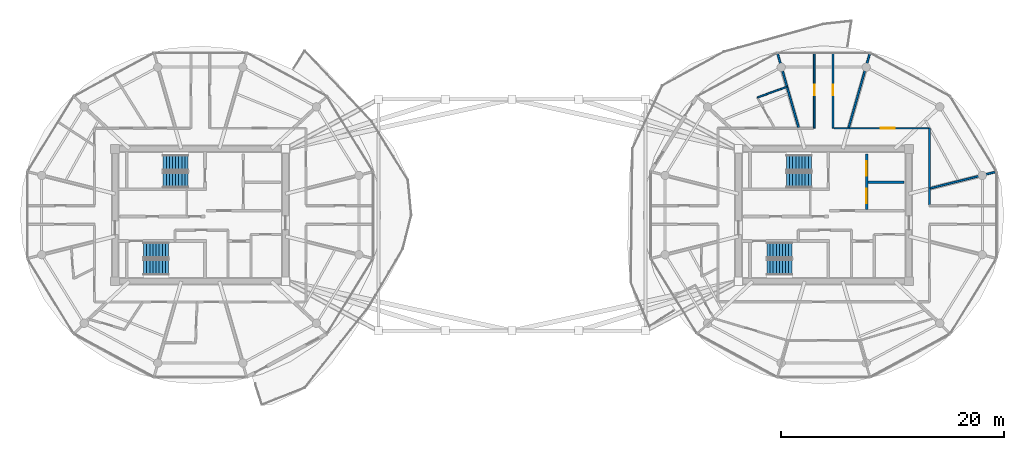
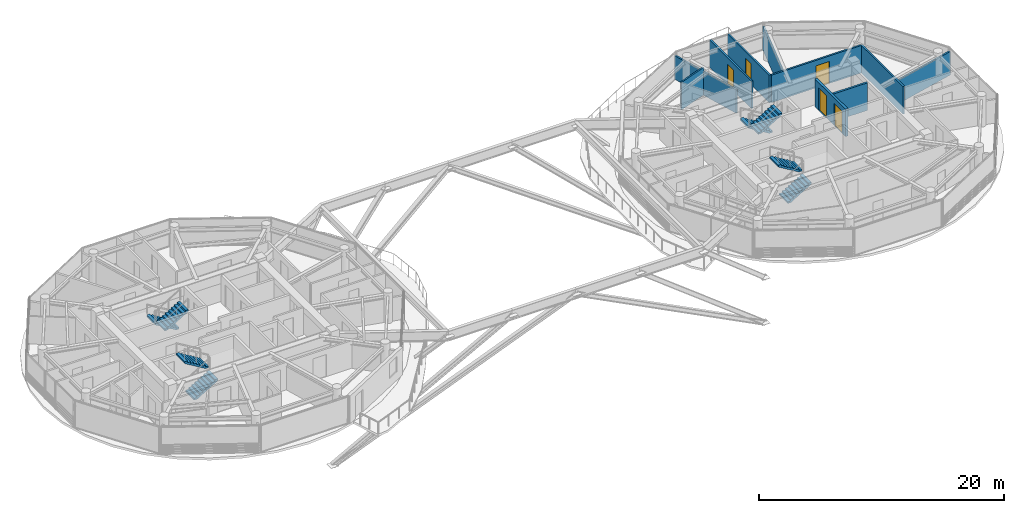
# One storey, part 18 of 23: 10 walls, 8 stair flights, 5 doors, 5 openings, 4 elements without a shape of their own.
"""IFC4 building model written with IfcOpenShell, lengths in metres."""

from ifc_helpers import new_model, si_unit, direction, frame, frame_2d, origin, place, context, subcontext, project, spatial, polyline, rectangle, outline, extrude, source, transform, mapped, material, layer, layer_set, type_object, type_shapes, element, fill, aggregate, save


model = new_model("IFC4")

# Units and contexts
model_context = context("Model", 3, precision=1e-05, world=origin(), true_north=direction((0.0, 1.0)))
body_context = subcontext(model_context, "Body", "Model", "MODEL_VIEW")
ifc_project = project(units=[si_unit("LENGTHUNIT", "METRE"), si_unit("AREAUNIT", "SQUARE_METRE"), si_unit("VOLUMEUNIT", "CUBIC_METRE"), si_unit("PLANEANGLEUNIT", "RADIAN"), si_unit("MASSUNIT", "GRAM", prefix="KILO")], contexts=[model_context])

# Site, building, storey
site_placement = place(None, origin())
site = spatial("IfcSite", under=ifc_project, at=site_placement, CompositionType="ELEMENT")
building_placement = place(site_placement, origin())
building = spatial("IfcBuilding", under=site, at=building_placement, Name="Norrkilde Senior Care Towers", CompositionType="ELEMENT")
storey_placement = place(building_placement, frame((0.0, 0.0, 196.75)))
storey = spatial("IfcBuildingStorey", under=building, at=storey_placement, Name="L61", CompositionType="ELEMENT", Elevation=196.75)

# Wall, openings, doors
ifc_material_1 = material(Name="Concrete C45/55", Category="concrete")
ifc_layer_1 = layer(ifc_material_1, 0.239990234375)
ifc_layer_set_1 = layer_set([ifc_layer_1], Name="Concrete C45/55")
wall_type_1 = type_object("IfcWallType", Name="Lift and Plant Rated Enclosure Partition 240", PredefinedType="PARTITIONING", material=ifc_layer_set_1)
shared_shape_1 = source(origin(), body_context, "Body", "SweptSolid", [
    extrude(rectangle(XDim=5.0, YDim=0.239990234375, at=frame_2d((2.5, 0.0))), origin(), (0.0, 0.0, 1.0), 2.7451171875),
])
type_shapes(wall_type_1, [shared_shape_1])
wall_1_placement = place(storey_placement, frame((31.860107421875, 0.5, 0.0), z_axis=(0.0, 0.0, 1.0), x_axis=(0.0, 1.0, 0.0)))
wall_1 = element("IfcWall", 1, at=wall_1_placement, inside=storey, type_object=wall_type_1, Name="WL-INT-L61-E-FFLE", PredefinedType="PARTITIONING", context=body_context, shape_type="MappedRepresentation", body=[
    mapped(shared_shape_1, transform((0.0, 0.0, 0.0), x_axis=(1.0, 0.0, 0.0), y_axis=(0.0, 1.0, 0.0), z_axis=(0.0, 0.0, 1.0), scale=1.0)),
])
opening_1_placement = place(wall_1_placement, frame((3.050048828125, 0.0, 0.0)))
opening_1 = element("IfcOpeningElement", 2, at=opening_1_placement, cuts=wall_1, Name="Opening LD-02", PredefinedType="OPENING", context=body_context, shape_type="SweptSolid", body=[
    extrude(rectangle(XDim=1.300048828125, YDim=2.199951171875, at=frame_2d((0.64990234375, 1.10009765625))), frame((0.0, 0.1298828125, 0.0), z_axis=(0.0, -1.0, 0.0), x_axis=(1.0, 0.0, 0.0)), (0.0, 0.0, 1.0), 0.260009765625),
])
opening_2_placement = place(wall_1_placement, frame((0.550048828125, 0.0, 0.0)))
opening_2 = element("IfcOpeningElement", 3, at=opening_2_placement, cuts=wall_1, Name="Opening LD-02", PredefinedType="OPENING", context=body_context, shape_type="SweptSolid", body=[
    extrude(rectangle(XDim=1.300048828125, YDim=2.199951171875, at=frame_2d((0.64990234375, 1.10009765625))), frame((0.0, 0.1298828125, 0.0), z_axis=(0.0, -1.0, 0.0), x_axis=(1.0, 0.0, 0.0)), (0.0, 0.0, 1.0), 0.260009765625),
])
ifc_material_2 = material(Name="Stainless Steel", Category="steel")
door_type_1 = type_object("IfcDoorType", Name="Stretcher and FFL Landing Sliding Door 1300x2200", OperationType="NOTDEFINED", PredefinedType="DOOR", material=ifc_material_2)
shared_shape_2 = source(origin(), body_context, "Body", "SweptSolid", [
    extrude(rectangle(XDim=1.300048828125, YDim=2.199951171875, at=frame_2d((0.64990234375, 1.10009765625))), frame((0.0, 0.02490234375, 0.0), z_axis=(0.0, -1.0, 0.0), x_axis=(1.0, 0.0, 0.0)), (0.0, 0.0, 1.0), 0.050048828125),
])
type_shapes(door_type_1, [shared_shape_2])
door_1_placement = place(opening_1_placement, origin())
door_1 = element("IfcDoor", 4, at=door_1_placement, inside=storey, type_object=door_type_1, Name="L61 Firefighting Lift E1 Landing Door", OperationType="SLIDING_TO_LEFT", OverallHeight=2.199951171875, OverallWidth=1.300048828125, PredefinedType="DOOR", context=body_context, shape_type="MappedRepresentation", body=[
    mapped(shared_shape_2, transform((0.0, 0.0, 0.0), x_axis=(1.0, 0.0, 0.0), y_axis=(0.0, 1.0, 0.0), z_axis=(0.0, 0.0, 1.0), scale=1.0)),
])
fill(opening_1, door_1)
door_2_placement = place(opening_2_placement, origin())
door_2 = element("IfcDoor", 5, at=door_2_placement, inside=storey, type_object=door_type_1, Name="L61 Stretcher Lift E1 Landing Door", OperationType="SLIDING_TO_RIGHT", OverallHeight=2.199951171875, OverallWidth=1.300048828125, PredefinedType="DOOR", context=body_context, shape_type="MappedRepresentation", body=[
    mapped(shared_shape_2, transform((0.0, 0.0, 0.0), x_axis=(1.0, 0.0, 0.0), y_axis=(0.0, 1.0, 0.0), z_axis=(0.0, 0.0, 1.0), scale=1.0)),
])
fill(opening_2, door_2)

# Wall
ifc_layer_2 = layer(ifc_material_1, 0.199951171875)
ifc_layer_set_2 = layer_set([ifc_layer_2], Name="Concrete C45/55")
wall_type_2 = type_object("IfcWallType", Name="Shaft Division and Plant Partition 200", PredefinedType="PARTITIONING", material=ifc_layer_set_2)
shared_shape_3 = source(origin(), body_context, "Body", "SweptSolid", [
    extrude(rectangle(XDim=3.199951171875, YDim=0.199951171875, at=frame_2d((1.60009765625, 0.0))), origin(), (0.0, 0.0, 1.0), 2.7451171875),
])
type_shapes(wall_type_2, [shared_shape_3])
wall_2_placement = place(storey_placement, frame((32.0, 2.949951171875, 0.0), z_axis=(0.0, 0.0, 1.0), x_axis=(1.0, 0.0, 0.0)))
element("IfcWall", 6, at=wall_2_placement, inside=storey, type_object=wall_type_2, Name="WL-INT-L61-E-FFLDIV", PredefinedType="PARTITIONING", context=body_context, shape_type="MappedRepresentation", body=[
    mapped(shared_shape_3, transform((0.0, 0.0, 0.0), x_axis=(1.0, 0.0, 0.0), y_axis=(0.0, 1.0, 0.0), z_axis=(0.0, 0.0, 1.0), scale=1.0)),
])

# Wall, opening, door
ifc_material_3 = material(Name="Gypsum Acoustic Board")
ifc_layer_3 = layer(ifc_material_3, 0.1650390625)
ifc_layer_set_3 = layer_set([ifc_layer_3], Name="Gypsum Acoustic Board")
wall_type_3 = type_object("IfcWallType", Name="Corridor Rated Partition 165", PredefinedType="PARTITIONING", material=ifc_layer_set_3)
shared_shape_4 = source(origin(), body_context, "Body", "SweptSolid", [
    extrude(rectangle(XDim=8.580078125, YDim=0.1650390625, at=frame_2d((4.2900390625, 0.0))), origin(), (0.0, 0.0, 1.0), 2.7451171875),
])
wall_3_placement = place(storey_placement, frame((28.919921875, 7.800048828125, 0.0), z_axis=(0.0, 0.0, 1.0), x_axis=(1.0, 0.0, 0.0)))
wall_3 = element("IfcWall", 7, at=wall_3_placement, inside=storey, type_object=wall_type_3, Name="WL-INT-L61-E-CRW-N-1", PredefinedType="PARTITIONING", context=body_context, shape_type="MappedRepresentation", body=[
    mapped(shared_shape_4, transform((0.0, 0.0, 0.0), x_axis=(1.0, 0.0, 0.0), y_axis=(0.0, 1.0, 0.0), z_axis=(0.0, 0.0, 1.0), scale=1.0)),
])
opening_3_placement = place(wall_3_placement, frame((4.2197265625, 0.0, 0.0)))
opening_3 = element("IfcOpeningElement", 8, at=opening_3_placement, cuts=wall_3, Name="Opening D-05", PredefinedType="OPENING", context=body_context, shape_type="SweptSolid", body=[
    extrude(rectangle(XDim=1.25, YDim=2.199951171875, at=frame_2d((0.625, 1.10009765625))), frame((0.0, 0.092529296875, 0.0), z_axis=(0.0, -1.0, 0.0), x_axis=(1.0, 0.0, 0.0)), (0.0, 0.0, 1.0), 0.18505859375),
])
ifc_material_4 = material(Name="Nordic Ash Timber", Category="wood")
door_type_2 = type_object("IfcDoorType", Name="Care Bedroom Bariatric Door 1250x2200", OperationType="NOTDEFINED", PredefinedType="DOOR", material=ifc_material_4)
shared_shape_5 = source(origin(), body_context, "Body", "SweptSolid", [
    extrude(rectangle(XDim=1.25, YDim=2.199951171875, at=frame_2d((0.625, 1.10009765625))), frame((0.0, 0.02490234375, 0.0), z_axis=(0.0, -1.0, 0.0), x_axis=(1.0, 0.0, 0.0)), (0.0, 0.0, 1.0), 0.050048828125),
])
type_shapes(door_type_2, [shared_shape_5])
door_3_placement = place(opening_3_placement, frame((1.25, 0.0, 0.0), z_axis=(0.0, 0.0, 1.0), x_axis=(-1.0, 0.0, 0.0)))
door_3 = element("IfcDoor", 9, at=door_3_placement, inside=storey, type_object=door_type_2, Name="L61 Senior Wellness Library Lounge Door", OperationType="SINGLE_SWING_LEFT", OverallHeight=2.199951171875, OverallWidth=1.25, PredefinedType="DOOR", context=body_context, shape_type="MappedRepresentation", body=[
    mapped(shared_shape_5, transform((0.0, 0.0, 0.0), x_axis=(1.0, 0.0, 0.0), y_axis=(0.0, 1.0, 0.0), z_axis=(0.0, 0.0, 1.0), scale=1.0)),
])
fill(opening_3, door_3)

# Walls
shared_shape_6 = source(origin(), body_context, "Body", "SweptSolid", [
    extrude(rectangle(XDim=6.880126953125, YDim=0.1650390625, at=frame_2d((3.43994140625, 0.0))), origin(), (0.0, 0.0, 1.0), 2.7451171875),
])
wall_4_placement = place(storey_placement, frame((37.5, 7.800048828125, 0.0), z_axis=(0.0, 0.0, 1.0), x_axis=(0.0, -1.0, 0.0)))
element("IfcWall", 10, at=wall_4_placement, inside=storey, type_object=wall_type_3, Name="WL-INT-L61-E-CRW-E-0", PredefinedType="PARTITIONING", context=body_context, shape_type="MappedRepresentation", body=[
    mapped(shared_shape_6, transform((0.0, 0.0, 0.0), x_axis=(1.0, 0.0, 0.0), y_axis=(0.0, 1.0, 0.0), z_axis=(0.0, 0.0, 1.0), scale=1.0)),
])
shared_shape_7 = source(origin(), body_context, "Body", "SweptSolid", [
    extrude(rectangle(XDim=6.973876953125, YDim=0.1650390625, at=frame_2d((3.48681640625, 0.0))), origin(), (0.0, 0.0, 1.0), 2.344970703125),
])
for number, where, z_axis, x_axis, name in (
    (11, (30.251220703125, 7.8798828125, 0.0), (0.0, 0.0, 1.0), (0.274707256801, 0.961527910703, 0.0), "WL-INT-L61-E-DEM-02-0"),
    (12, (25.748779296875, 7.8798828125, 0.0), (0.0, 0.0, 1.0), (-0.274707256801, 0.961527910703, 0.0), "WL-INT-L61-E-DEM-03-0"),
):
    element("IfcWall", number, at=place(storey_placement, frame(where, z_axis=z_axis, x_axis=x_axis)), inside=storey, type_object=wall_type_3, Name=name, PredefinedType="PARTITIONING", context=body_context, shape_type="MappedRepresentation", body=[
        mapped(shared_shape_7, transform((0.0, 0.0, 0.0), x_axis=(1.0, 0.0, 0.0), y_axis=(0.0, 1.0, 0.0), z_axis=(0.0, 0.0, 1.0), scale=1.0)),
    ])
shared_shape_8 = source(origin(), body_context, "Body", "SweptSolid", [
    extrude(rectangle(XDim=6.1572265625, YDim=0.1650390625, at=frame_2d((3.07861328125, 0.0))), origin(), (0.0, 0.0, 1.0), 2.344970703125),
])
wall_5_placement = place(storey_placement, frame((37.580078125, 2.407470703125, 0.0), z_axis=(0.0, 0.0, 1.0), x_axis=(0.969840867184, 0.243738984038, 0.0)))
element("IfcWall", 13, at=wall_5_placement, inside=storey, type_object=wall_type_3, Name="WL-INT-L61-E-DEM-00-0", PredefinedType="PARTITIONING", context=body_context, shape_type="MappedRepresentation", body=[
    mapped(shared_shape_8, transform((0.0, 0.0, 0.0), x_axis=(1.0, 0.0, 0.0), y_axis=(0.0, 1.0, 0.0), z_axis=(0.0, 0.0, 1.0), scale=1.0)),
])

# Wall, opening, door
shared_shape_9 = source(origin(), body_context, "Body", "SweptSolid", [
    extrude(rectangle(XDim=6.83544921875, YDim=0.1650390625, at=frame_2d((3.417724609375, 0.0))), origin(), (0.0, 0.0, 1.0), 2.7451171875),
])
type_shapes(wall_type_3, [shared_shape_4, shared_shape_6, shared_shape_7, shared_shape_8, shared_shape_9])
wall_6_placement = place(storey_placement, frame((27.159912109375, 7.800048828125, 0.0), z_axis=(0.0, 0.0, 1.0), x_axis=(0.0, 1.0, 0.0)))
wall_6 = element("IfcWall", 14, at=wall_6_placement, inside=storey, type_object=wall_type_3, Name="WL-INT-L61-E-SPK-N1-0", PredefinedType="PARTITIONING", context=body_context, shape_type="MappedRepresentation", body=[
    mapped(shared_shape_9, transform((0.0, 0.0, 0.0), x_axis=(1.0, 0.0, 0.0), y_axis=(0.0, 1.0, 0.0), z_axis=(0.0, 0.0, 1.0), scale=1.0)),
])
opening_4_placement = place(wall_6_placement, frame((2.942626953125, 0.0, 0.0)))
opening_4 = element("IfcOpeningElement", 15, at=opening_4_placement, cuts=wall_6, Name="Opening D-07", PredefinedType="OPENING", context=body_context, shape_type="SweptSolid", body=[
    extrude(rectangle(XDim=0.949951171875, YDim=2.10009765625, at=frame_2d((0.47509765625, 1.050048828125))), frame((0.0, 0.092529296875, 0.0), z_axis=(0.0, -1.0, 0.0), x_axis=(1.0, 0.0, 0.0)), (0.0, 0.0, 1.0), 0.18505859375),
])
door_type_3 = type_object("IfcDoorType", Name="Internal Suite Bedroom Door 950x2100", OperationType="NOTDEFINED", PredefinedType="DOOR", material=ifc_material_4)
shared_shape_10 = source(origin(), body_context, "Body", "SweptSolid", [
    extrude(rectangle(XDim=0.949951171875, YDim=2.10009765625, at=frame_2d((0.47509765625, 1.050048828125))), frame((0.0, 0.02490234375, 0.0), z_axis=(0.0, -1.0, 0.0), x_axis=(1.0, 0.0, 0.0)), (0.0, 0.0, 1.0), 0.050048828125),
])
type_shapes(door_type_3, [shared_shape_10])
door_4_placement = place(opening_4_placement, frame((0.949951171875, 0.0, 0.0), z_axis=(0.0, 0.0, 1.0), x_axis=(-1.0, 0.0, 0.0)))
door_4 = element("IfcDoor", 16, at=door_4_placement, inside=storey, type_object=door_type_3, Name="L61 Sun Reading Lounge 3 Door", OperationType="SINGLE_SWING_RIGHT", OverallHeight=2.10009765625, OverallWidth=0.949951171875, PredefinedType="DOOR", context=body_context, shape_type="MappedRepresentation", body=[
    mapped(shared_shape_10, transform((0.0, 0.0, 0.0), x_axis=(1.0, 0.0, 0.0), y_axis=(0.0, 1.0, 0.0), z_axis=(0.0, 0.0, 1.0), scale=1.0)),
])
fill(opening_4, door_4)

wall_7_placement = place(storey_placement, frame((28.840087890625, 14.635498046875, 0.0), z_axis=(0.0, 0.0, 1.0), x_axis=(0.0, -1.0, 0.0)))
wall_7 = element("IfcWall", 17, at=wall_7_placement, inside=storey, type_object=wall_type_3, Name="WL-INT-L61-E-SPK-N2-0", PredefinedType="PARTITIONING", context=body_context, shape_type="MappedRepresentation", body=[
    mapped(shared_shape_9, transform((0.0, 0.0, 0.0), x_axis=(1.0, 0.0, 0.0), y_axis=(0.0, 1.0, 0.0), z_axis=(0.0, 0.0, 1.0), scale=1.0)),
])
opening_5_placement = place(wall_7_placement, frame((2.942626953125, 0.0, 0.0)))
opening_5 = element("IfcOpeningElement", 18, at=opening_5_placement, cuts=wall_7, Name="Opening D-07", PredefinedType="OPENING", context=body_context, shape_type="SweptSolid", body=[
    extrude(rectangle(XDim=0.949951171875, YDim=2.10009765625, at=frame_2d((0.47509765625, 1.050048828125))), frame((0.0, 0.092529296875, 0.0), z_axis=(0.0, -1.0, 0.0), x_axis=(1.0, 0.0, 0.0)), (0.0, 0.0, 1.0), 0.18505859375),
])
door_5_placement = place(opening_5_placement, frame((0.949951171875, 0.0, 0.0), z_axis=(0.0, 0.0, 1.0), x_axis=(-1.0, 0.0, 0.0)))
door_5 = element("IfcDoor", 19, at=door_5_placement, inside=storey, type_object=door_type_3, Name="L61 Sun Reading Lounge 4 Door", OperationType="SINGLE_SWING_LEFT", OverallHeight=2.10009765625, OverallWidth=0.949951171875, PredefinedType="DOOR", context=body_context, shape_type="MappedRepresentation", body=[
    mapped(shared_shape_10, transform((0.0, 0.0, 0.0), x_axis=(1.0, 0.0, 0.0), y_axis=(0.0, 1.0, 0.0), z_axis=(0.0, 0.0, 1.0), scale=1.0)),
])
fill(opening_5, door_5)

# Wall
ifc_layer_4 = layer(ifc_material_3, 0.139892578125)
ifc_layer_set_4 = layer_set([ifc_layer_4], Name="Gypsum Acoustic Board")
wall_type_4 = type_object("IfcWallType", Name="En-suite Wet Room Wall 140", PredefinedType="PARTITIONING", material=ifc_layer_set_4)
shared_shape_11 = source(origin(), body_context, "Body", "SweptSolid", [
    extrude(rectangle(XDim=2.8310546875, YDim=0.139892578125, at=frame_2d((1.41552734375, 0.0))), origin(), (0.0, 0.0, 1.0), 2.7451171875),
])
type_shapes(wall_type_4, [shared_shape_11])
wall_8_placement = place(storey_placement, frame((22.042724609375, 10.5654296875, 0.0), z_axis=(0.0, 0.0, 1.0), x_axis=(0.941411742535, 0.337259441701, 0.0)))
element("IfcWall", 20, at=wall_8_placement, inside=storey, type_object=wall_type_4, Name="WL-INT-L61-E-EF-03", PredefinedType="PARTITIONING", context=body_context, shape_type="MappedRepresentation", body=[
    mapped(shared_shape_11, transform((0.0, 0.0, 0.0), x_axis=(1.0, 0.0, 0.0), y_axis=(0.0, 1.0, 0.0), z_axis=(0.0, 0.0, 1.0), scale=1.0)),
])

# Stair, stair flights
stair_type = type_object("IfcStairType", Name="Core Protected Dogleg Stair Typical 3050", PredefinedType="HALF_TURN_STAIR", material=ifc_material_1)
stair_1_placement = place(storey_placement, origin())
stair_1 = element("IfcStair", 21, at=stair_1_placement, inside=storey, type_object=stair_type, Name="L61 Protected Core Stair W1", PredefinedType="HALF_TURN_STAIR")
stair_flight_type = type_object("IfcStairFlightType", Name="Core Protected Dogleg Stair Typical 3050 Flight", PredefinedType="STRAIGHT", material=ifc_material_1)
stair_flight_1_placement = place(storey_placement, frame((-29.10009765625, 4.699951171875, 0.0), z_axis=(0.0, 0.0, 1.0), x_axis=(-1.0, 0.0, 0.0)))
stair_flight_1 = element("IfcStairFlight", 22, at=stair_flight_1_placement, type_object=stair_flight_type, Name="ST-W1 flight 1", NumberOfRisers=9, NumberOfTreads=8, PredefinedType="STRAIGHT", RiserHeight=0.169444444, TreadLength=0.28, context=body_context, shape_type="SweptSolid", body=[
    extrude(outline(polyline([(0.0, 0.0), (0.0, 0.16943359375), (0.280029296875, 0.16943359375), (0.280029296875, 0.3388671875), (0.56005859375, 0.3388671875), (0.56005859375, 0.50830078125), (0.840087890625, 0.50830078125), (0.840087890625, 0.677734375), (1.1201171875, 0.677734375), (1.1201171875, 0.84716796875), (1.39990234375, 0.84716796875), (1.39990234375, 1.0166015625), (1.679931640625, 1.0166015625), (1.679931640625, 1.18603515625), (1.9599609375, 1.18603515625), (1.9599609375, 1.35546875), (2.239990234375, 1.35546875), (2.239990234375, 1.52490234375), (2.239990234375, 1.180419921875), (0.28955078125, 0.0), (0.0, 0.0)])), frame((0.0, 0.699951171875, 0.0), z_axis=(0.0, -1.0, 0.0), x_axis=(1.0, 0.0, 0.0)), (0.0, 0.0, 1.0), 1.39990234375),
])
stair_flight_2_placement = place(storey_placement, frame((-31.340087890625, 3.14990234375, 1.52490234375), z_axis=(0.0, 0.0, 1.0), x_axis=(1.0, 0.0, 0.0)))
stair_flight_2 = element("IfcStairFlight", 23, at=stair_flight_2_placement, type_object=stair_flight_type, Name="ST-W1 flight 2", NumberOfRisers=9, NumberOfTreads=8, PredefinedType="STRAIGHT", RiserHeight=0.169444444, TreadLength=0.28, context=body_context, shape_type="SweptSolid", body=[
    extrude(outline(polyline([(0.0, 0.0), (0.0, 0.16943359375), (0.280029296875, 0.16943359375), (0.280029296875, 0.3388671875), (0.56005859375, 0.3388671875), (0.56005859375, 0.50830078125), (0.840087890625, 0.50830078125), (0.840087890625, 0.677734375), (1.1201171875, 0.677734375), (1.1201171875, 0.84716796875), (1.39990234375, 0.84716796875), (1.39990234375, 1.0166015625), (1.679931640625, 1.0166015625), (1.679931640625, 1.18603515625), (1.9599609375, 1.18603515625), (1.9599609375, 1.35546875), (2.239990234375, 1.35546875), (2.239990234375, 1.52490234375), (2.239990234375, 1.180419921875), (0.28955078125, 0.0), (0.0, 0.0)])), frame((0.0, 0.699951171875, 0.0), z_axis=(0.0, -1.0, 0.0), x_axis=(1.0, 0.0, 0.0)), (0.0, 0.0, 1.0), 1.39990234375),
])
aggregate(stair_1, [stair_flight_1, stair_flight_2])

stair_2_placement = place(storey_placement, origin())
stair_2 = element("IfcStair", 24, at=stair_2_placement, inside=storey, type_object=stair_type, Name="L61 Protected Core Stair W2", PredefinedType="HALF_TURN_STAIR")
stair_flight_3_placement = place(storey_placement, frame((-33.10009765625, -4.699951171875, 0.0), z_axis=(0.0, 0.0, 1.0), x_axis=(1.0, 0.0, 0.0)))
stair_flight_3 = element("IfcStairFlight", 25, at=stair_flight_3_placement, type_object=stair_flight_type, Name="ST-W2 flight 1", NumberOfRisers=9, NumberOfTreads=8, PredefinedType="STRAIGHT", RiserHeight=0.169444444, TreadLength=0.28, context=body_context, shape_type="SweptSolid", body=[
    extrude(outline(polyline([(0.0, 0.0), (0.0, 0.16943359375), (0.280029296875, 0.16943359375), (0.280029296875, 0.3388671875), (0.56005859375, 0.3388671875), (0.56005859375, 0.50830078125), (0.840087890625, 0.50830078125), (0.840087890625, 0.677734375), (1.1201171875, 0.677734375), (1.1201171875, 0.84716796875), (1.39990234375, 0.84716796875), (1.39990234375, 1.0166015625), (1.679931640625, 1.0166015625), (1.679931640625, 1.18603515625), (1.9599609375, 1.18603515625), (1.9599609375, 1.35546875), (2.239990234375, 1.35546875), (2.239990234375, 1.52490234375), (2.239990234375, 1.180419921875), (0.28955078125, 0.0), (0.0, 0.0)])), frame((0.0, 0.699951171875, 0.0), z_axis=(0.0, -1.0, 0.0), x_axis=(1.0, 0.0, 0.0)), (0.0, 0.0, 1.0), 1.39990234375),
])
stair_flight_4_placement = place(storey_placement, frame((-30.860107421875, -3.14990234375, 1.52490234375), z_axis=(0.0, 0.0, 1.0), x_axis=(-1.0, 0.0, 0.0)))
stair_flight_4 = element("IfcStairFlight", 26, at=stair_flight_4_placement, type_object=stair_flight_type, Name="ST-W2 flight 2", NumberOfRisers=9, NumberOfTreads=8, PredefinedType="STRAIGHT", RiserHeight=0.169444444, TreadLength=0.28, context=body_context, shape_type="SweptSolid", body=[
    extrude(outline(polyline([(0.0, 0.0), (0.0, 0.16943359375), (0.280029296875, 0.16943359375), (0.280029296875, 0.3388671875), (0.56005859375, 0.3388671875), (0.56005859375, 0.50830078125), (0.840087890625, 0.50830078125), (0.840087890625, 0.677734375), (1.1201171875, 0.677734375), (1.1201171875, 0.84716796875), (1.39990234375, 0.84716796875), (1.39990234375, 1.0166015625), (1.679931640625, 1.0166015625), (1.679931640625, 1.18603515625), (1.9599609375, 1.18603515625), (1.9599609375, 1.35546875), (2.239990234375, 1.35546875), (2.239990234375, 1.52490234375), (2.239990234375, 1.180419921875), (0.28955078125, 0.0), (0.0, 0.0)])), frame((0.0, 0.699951171875, 0.0), z_axis=(0.0, -1.0, 0.0), x_axis=(1.0, 0.0, 0.0)), (0.0, 0.0, 1.0), 1.39990234375),
])
aggregate(stair_2, [stair_flight_3, stair_flight_4])

stair_3_placement = place(storey_placement, origin())
stair_3 = element("IfcStair", 27, at=stair_3_placement, inside=storey, type_object=stair_type, Name="L61 Protected Core Stair E1", PredefinedType="HALF_TURN_STAIR")
stair_flight_5_placement = place(storey_placement, frame((26.89990234375, 4.699951171875, 0.0), z_axis=(0.0, 0.0, 1.0), x_axis=(-1.0, 0.0, 0.0)))
stair_flight_5 = element("IfcStairFlight", 28, at=stair_flight_5_placement, type_object=stair_flight_type, Name="ST-E1 flight 1", NumberOfRisers=9, NumberOfTreads=8, PredefinedType="STRAIGHT", RiserHeight=0.169444444, TreadLength=0.28, context=body_context, shape_type="SweptSolid", body=[
    extrude(outline(polyline([(0.0, 0.0), (0.0, 0.16943359375), (0.280029296875, 0.16943359375), (0.280029296875, 0.3388671875), (0.56005859375, 0.3388671875), (0.56005859375, 0.50830078125), (0.840087890625, 0.50830078125), (0.840087890625, 0.677734375), (1.1201171875, 0.677734375), (1.1201171875, 0.84716796875), (1.39990234375, 0.84716796875), (1.39990234375, 1.0166015625), (1.679931640625, 1.0166015625), (1.679931640625, 1.18603515625), (1.9599609375, 1.18603515625), (1.9599609375, 1.35546875), (2.239990234375, 1.35546875), (2.239990234375, 1.52490234375), (2.239990234375, 1.180419921875), (0.28955078125, 0.0), (0.0, 0.0)])), frame((0.0, 0.699951171875, 0.0), z_axis=(0.0, -1.0, 0.0), x_axis=(1.0, 0.0, 0.0)), (0.0, 0.0, 1.0), 1.39990234375),
])
stair_flight_6_placement = place(storey_placement, frame((24.659912109375, 3.14990234375, 1.52490234375), z_axis=(0.0, 0.0, 1.0), x_axis=(1.0, 0.0, 0.0)))
stair_flight_6 = element("IfcStairFlight", 29, at=stair_flight_6_placement, type_object=stair_flight_type, Name="ST-E1 flight 2", NumberOfRisers=9, NumberOfTreads=8, PredefinedType="STRAIGHT", RiserHeight=0.169444444, TreadLength=0.28, context=body_context, shape_type="SweptSolid", body=[
    extrude(outline(polyline([(0.0, 0.0), (0.0, 0.16943359375), (0.280029296875, 0.16943359375), (0.280029296875, 0.3388671875), (0.56005859375, 0.3388671875), (0.56005859375, 0.50830078125), (0.840087890625, 0.50830078125), (0.840087890625, 0.677734375), (1.1201171875, 0.677734375), (1.1201171875, 0.84716796875), (1.39990234375, 0.84716796875), (1.39990234375, 1.0166015625), (1.679931640625, 1.0166015625), (1.679931640625, 1.18603515625), (1.9599609375, 1.18603515625), (1.9599609375, 1.35546875), (2.239990234375, 1.35546875), (2.239990234375, 1.52490234375), (2.239990234375, 1.180419921875), (0.28955078125, 0.0), (0.0, 0.0)])), frame((0.0, 0.699951171875, 0.0), z_axis=(0.0, -1.0, 0.0), x_axis=(1.0, 0.0, 0.0)), (0.0, 0.0, 1.0), 1.39990234375),
])
aggregate(stair_3, [stair_flight_5, stair_flight_6])

stair_4_placement = place(storey_placement, origin())
stair_4 = element("IfcStair", 30, at=stair_4_placement, inside=storey, type_object=stair_type, Name="L61 Protected Core Stair E2", PredefinedType="HALF_TURN_STAIR")
stair_flight_7_placement = place(storey_placement, frame((22.89990234375, -4.699951171875, 0.0), z_axis=(0.0, 0.0, 1.0), x_axis=(1.0, 0.0, 0.0)))
stair_flight_7 = element("IfcStairFlight", 31, at=stair_flight_7_placement, type_object=stair_flight_type, Name="ST-E2 flight 1", NumberOfRisers=9, NumberOfTreads=8, PredefinedType="STRAIGHT", RiserHeight=0.169444444, TreadLength=0.28, context=body_context, shape_type="SweptSolid", body=[
    extrude(outline(polyline([(0.0, 0.0), (0.0, 0.16943359375), (0.280029296875, 0.16943359375), (0.280029296875, 0.3388671875), (0.56005859375, 0.3388671875), (0.56005859375, 0.50830078125), (0.840087890625, 0.50830078125), (0.840087890625, 0.677734375), (1.1201171875, 0.677734375), (1.1201171875, 0.84716796875), (1.39990234375, 0.84716796875), (1.39990234375, 1.0166015625), (1.679931640625, 1.0166015625), (1.679931640625, 1.18603515625), (1.9599609375, 1.18603515625), (1.9599609375, 1.35546875), (2.239990234375, 1.35546875), (2.239990234375, 1.52490234375), (2.239990234375, 1.180419921875), (0.28955078125, 0.0), (0.0, 0.0)])), frame((0.0, 0.699951171875, 0.0), z_axis=(0.0, -1.0, 0.0), x_axis=(1.0, 0.0, 0.0)), (0.0, 0.0, 1.0), 1.39990234375),
])
stair_flight_8_placement = place(storey_placement, frame((25.139892578125, -3.14990234375, 1.52490234375), z_axis=(0.0, 0.0, 1.0), x_axis=(-1.0, 0.0, 0.0)))
stair_flight_8 = element("IfcStairFlight", 32, at=stair_flight_8_placement, type_object=stair_flight_type, Name="ST-E2 flight 2", NumberOfRisers=9, NumberOfTreads=8, PredefinedType="STRAIGHT", RiserHeight=0.169444444, TreadLength=0.28, context=body_context, shape_type="SweptSolid", body=[
    extrude(outline(polyline([(0.0, 0.0), (0.0, 0.16943359375), (0.280029296875, 0.16943359375), (0.280029296875, 0.3388671875), (0.56005859375, 0.3388671875), (0.56005859375, 0.50830078125), (0.840087890625, 0.50830078125), (0.840087890625, 0.677734375), (1.1201171875, 0.677734375), (1.1201171875, 0.84716796875), (1.39990234375, 0.84716796875), (1.39990234375, 1.0166015625), (1.679931640625, 1.0166015625), (1.679931640625, 1.18603515625), (1.9599609375, 1.18603515625), (1.9599609375, 1.35546875), (2.239990234375, 1.35546875), (2.239990234375, 1.52490234375), (2.239990234375, 1.180419921875), (0.28955078125, 0.0), (0.0, 0.0)])), frame((0.0, 0.699951171875, 0.0), z_axis=(0.0, -1.0, 0.0), x_axis=(1.0, 0.0, 0.0)), (0.0, 0.0, 1.0), 1.39990234375),
])
aggregate(stair_4, [stair_flight_7, stair_flight_8])

save(model, "model.ifc")
